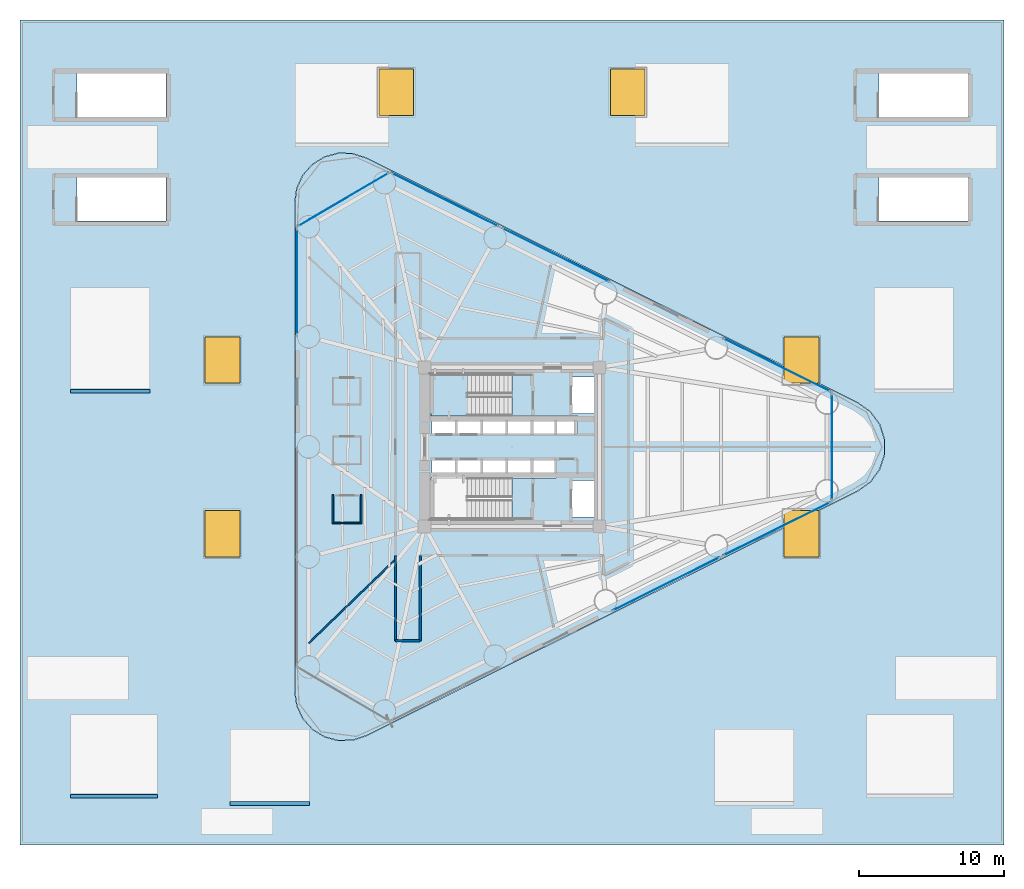
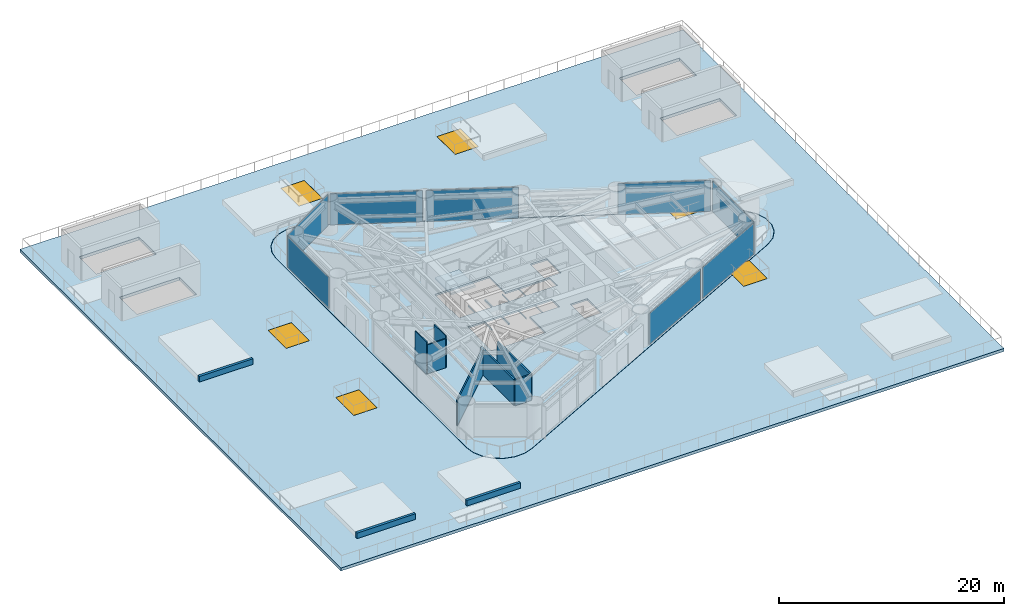
# One storey, part 5 of 13: 10 walls, 8 plates, 6 windows, 3 slabs, 6 openings, 9 elements without a shape of their own.
"""IFC4 building model written with IfcOpenShell, lengths in metres."""

from ifc_helpers import new_model, si_unit, direction, frame, frame_2d, origin, origin_2d, place, context, subcontext, project, spatial, polyline, rectangle, outline, extrude, source, transform, mapped, material, layer, layer_set, type_object, element, fill, aggregate, save


model = new_model("IFC4")

# Units and contexts
model_context = context("Model", 3, precision=1e-05, world=origin(), true_north=direction((0.0, 1.0)))
body_context = subcontext(model_context, "Body", "Model", "MODEL_VIEW")
ifc_project = project(units=[si_unit("LENGTHUNIT", "METRE"), si_unit("AREAUNIT", "SQUARE_METRE"), si_unit("VOLUMEUNIT", "CUBIC_METRE"), si_unit("PLANEANGLEUNIT", "RADIAN"), si_unit("MASSUNIT", "GRAM", prefix="KILO")], contexts=[model_context])

# Site, building, storey
site_placement = place(None, origin())
site = spatial("IfcSite", under=ifc_project, at=site_placement, CompositionType="ELEMENT")
building_placement = place(site_placement, origin())
building = spatial("IfcBuilding", under=site, at=building_placement, Name="Yunling Apex Tower", CompositionType="ELEMENT")
storey_placement = place(building_placement, frame((0.0, 0.0, 20.10009765625)))
storey = spatial("IfcBuildingStorey", under=building, at=storey_placement, Name="L06", CompositionType="ELEMENT", Elevation=20.10009765625)

# Slab
ifc_material_1 = material(Name="Concrete C40", Category="concrete")
ifc_layer_1 = layer(ifc_material_1, 0.179931640625)
ifc_layer_set_1 = layer_set([ifc_layer_1], Name="Concrete C40")
slab_type_1 = type_object("IfcSlabType", Name="SL-FLR-1", PredefinedType="FLOOR", material=ifc_layer_set_1)
slab_1_placement = place(storey_placement, frame((0.0, 0.0, -0.18505859375)))
element("IfcSlab", 1, at=slab_1_placement, inside=storey, type_object=slab_type_1, Name="L06 Composite Tower Floor Slab", PredefinedType="FLOOR", context=body_context, shape_type="SweptSolid", body=[
    extrude(outline(polyline([(-15.001953125, -16.909912109375), (-14.859619140625, -17.88330078125), (-14.444580078125, -18.775390625), (-13.79150390625, -19.510986328125), (-12.955078125, -20.029052734375), (-12.00537109375, -20.285888671875), (-11.02197265625, -20.260009765625), (-10.0869140625, -19.953857421875), (23.88818359375, -3.043701171875), (24.76123046875, -2.42041015625), (25.396484375, -1.555908203125), (25.730712890625, -0.536376953125), (25.730712890625, 0.536376953125), (25.396484375, 1.555908203125), (24.76123046875, 2.42041015625), (23.88818359375, 3.043701171875), (-10.0869140625, 19.953857421875), (-11.02197265625, 20.260009765625), (-12.00537109375, 20.285888671875), (-12.955078125, 20.029052734375), (-13.79150390625, 19.510986328125), (-14.444580078125, 18.775390625), (-14.859619140625, 17.88330078125), (-15.001953125, 16.909912109375), (-15.001953125, -16.909912109375)]), holes=[polyline([(5.81005859375, -2.320068359375), (5.81005859375, -4.840087890625), (4.090087890625, -4.840087890625), (4.090087890625, -2.320068359375), (5.81005859375, -2.320068359375)]), polyline([(5.81005859375, 4.840087890625), (5.81005859375, 2.320068359375), (4.090087890625, 2.320068359375), (4.090087890625, 4.840087890625), (5.81005859375, 4.840087890625)]), polyline([(4.534912109375, 0.794921875), (1.364990234375, 0.794921875), (1.364990234375, 2.1650390625), (4.534912109375, 2.1650390625), (4.534912109375, 0.794921875)]), polyline([(3.034912109375, -2.1650390625), (1.364990234375, -2.1650390625), (1.364990234375, -0.794921875), (3.034912109375, -0.794921875), (3.034912109375, -2.1650390625)]), polyline([(-5.60009765625, 5.010009765625), (-0.010009765625, 5.010009765625), (-0.010009765625, 2.1650390625), (1.3349609375, 2.1650390625), (1.3349609375, 0.794921875), (-0.3349609375, 0.794921875), (-0.3349609375, 2.139892578125), (-0.364990234375, 2.139892578125), (-0.364990234375, 0.794921875), (-2.034912109375, 0.794921875), (-2.034912109375, 2.139892578125), (-2.1650390625, 2.139892578125), (-2.1650390625, 0.794921875), (-3.8349609375, 0.794921875), (-3.8349609375, 2.139892578125), (-3.864990234375, 2.139892578125), (-3.864990234375, 0.794921875), (-5.534912109375, 0.794921875), (-5.534912109375, 2.139892578125), (-5.60009765625, 2.139892578125), (-5.60009765625, 5.010009765625)]), polyline([(-3.864990234375, -0.794921875), (-3.864990234375, -2.139892578125), (-3.8349609375, -2.139892578125), (-3.8349609375, -0.794921875), (-2.1650390625, -0.794921875), (-2.1650390625, -2.139892578125), (-2.034912109375, -2.139892578125), (-2.034912109375, -0.794921875), (-0.364990234375, -0.794921875), (-0.364990234375, -2.139892578125), (-0.3349609375, -2.139892578125), (-0.3349609375, -0.794921875), (1.3349609375, -0.794921875), (1.3349609375, -2.1650390625), (-0.010009765625, -2.1650390625), (-0.010009765625, -5.010009765625), (-5.60009765625, -5.010009765625), (-5.60009765625, -2.139892578125), (-5.534912109375, -2.139892578125), (-5.534912109375, -0.794921875), (-3.864990234375, -0.794921875)])]), origin(), (0.0, 0.0, 1.0), 0.18505859375),
])

# Slab, openings, windows
ifc_layer_2 = layer(ifc_material_1, 0.320068359375)
ifc_layer_set_2 = layer_set([ifc_layer_2], Name="Concrete C40")
slab_type_2 = type_object("IfcSlabType", Name="SL-GDN-EXT", PredefinedType="ROOF", material=ifc_layer_set_2)
slab_2_placement = place(storey_placement, frame((0.0, 0.0, -0.320068359375)))
slab_2 = element("IfcSlab", 2, at=slab_2_placement, inside=storey, type_object=slab_type_2, Name="L06 Raised Public Garden Terrace Roof Deck", PredefinedType="FLOOR", context=body_context, shape_type="SweptSolid", body=[
    extrude(outline(polyline([(-34.0, -27.5), (34.0, -27.5), (34.0, 29.5), (-34.0, 29.5), (-34.0, -27.5)]), holes=[polyline([(31.5, 18.64990234375), (31.5, 15.60009765625), (25.35009765625, 15.60009765625), (25.35009765625, 18.64990234375), (31.5, 18.64990234375)]), polyline([(31.5, 25.85009765625), (31.5, 22.800048828125), (25.35009765625, 22.800048828125), (25.35009765625, 25.85009765625), (31.5, 25.85009765625)]), polyline([(-11.0185546875, -20.280029296875), (-12.0078125, -20.305908203125), (-12.963134765625, -20.047607421875), (-13.804443359375, -19.526611328125), (-14.46142578125, -18.786376953125), (-14.879150390625, -17.88916015625), (-15.02197265625, -16.911376953125), (-15.02197265625, 16.911376953125), (-14.879150390625, 17.88916015625), (-14.46142578125, 18.786376953125), (-13.804443359375, 19.526611328125), (-12.963134765625, 20.047607421875), (-12.0078125, 20.305908203125), (-11.0185546875, 20.280029296875), (-10.079345703125, 19.972412109375), (18.800048828125, 5.5986328125), (18.800048828125, 7.60009765625), (21.199951171875, 7.60009765625), (21.199951171875, 4.404052734375), (23.898681640625, 3.06103515625), (24.775390625, 2.434814453125), (25.41455078125, 1.565185546875), (25.750732421875, 0.53955078125), (25.750732421875, -0.53955078125), (25.41455078125, -1.565185546875), (24.775390625, -2.434814453125), (23.898681640625, -3.06103515625), (21.199951171875, -4.404052734375), (21.199951171875, -7.60009765625), (18.800048828125, -7.60009765625), (18.800048828125, -5.5986328125), (-10.079345703125, -19.972412109375), (-11.0185546875, -20.280029296875)]), polyline([(9.199951171875, 26.10009765625), (9.199951171875, 22.89990234375), (6.800048828125, 22.89990234375), (6.800048828125, 26.10009765625), (9.199951171875, 26.10009765625)]), polyline([(-9.199951171875, 26.10009765625), (-6.800048828125, 26.10009765625), (-6.800048828125, 22.89990234375), (-9.199951171875, 22.89990234375), (-9.199951171875, 26.10009765625)]), polyline([(-21.199951171875, -4.39990234375), (-18.800048828125, -4.39990234375), (-18.800048828125, -7.60009765625), (-21.199951171875, -7.60009765625), (-21.199951171875, -4.39990234375)]), polyline([(-21.199951171875, 7.60009765625), (-18.800048828125, 7.60009765625), (-18.800048828125, 4.39990234375), (-21.199951171875, 4.39990234375), (-21.199951171875, 7.60009765625)]), polyline([(-23.89990234375, 18.64990234375), (-23.89990234375, 15.60009765625), (-30.050048828125, 15.60009765625), (-30.050048828125, 18.64990234375), (-23.89990234375, 18.64990234375)]), polyline([(-23.89990234375, 25.85009765625), (-23.89990234375, 22.800048828125), (-30.050048828125, 22.800048828125), (-30.050048828125, 25.85009765625), (-23.89990234375, 25.85009765625)])]), origin(), (0.0, 0.0, 1.0), 0.320068359375),
])
opening_1_placement = place(slab_2_placement, frame((-20.0, -6.0, 0.0)))
opening_1 = element("IfcOpeningElement", 3, at=opening_1_placement, cuts=slab_2, Name="Opening WN-SKY-2", PredefinedType="OPENING", context=body_context, shape_type="SweptSolid", body=[
    extrude(rectangle(XDim=2.40380859375, YDim=3.203857421875, at=origin_2d()), frame((0.0, 0.0, -0.010009765625)), (0.0, 0.0, 1.0), 0.340087890625),
])
opening_2_placement = place(slab_2_placement, frame((20.0, -6.0, 0.0)))
opening_2 = element("IfcOpeningElement", 4, at=opening_2_placement, cuts=slab_2, Name="Opening WN-SKY-2", PredefinedType="OPENING", context=body_context, shape_type="SweptSolid", body=[
    extrude(rectangle(XDim=2.40380859375, YDim=3.203857421875, at=origin_2d()), frame((0.0, 0.0, -0.010009765625)), (0.0, 0.0, 1.0), 0.340087890625),
])
opening_3_placement = place(slab_2_placement, frame((-20.0, 6.0, 0.0)))
opening_3 = element("IfcOpeningElement", 5, at=opening_3_placement, cuts=slab_2, Name="Opening WN-SKY-2", PredefinedType="OPENING", context=body_context, shape_type="SweptSolid", body=[
    extrude(rectangle(XDim=2.40380859375, YDim=3.203857421875, at=origin_2d()), frame((0.0, 0.0, -0.010009765625)), (0.0, 0.0, 1.0), 0.340087890625),
])
opening_4_placement = place(slab_2_placement, frame((20.0, 6.0, 0.0)))
opening_4 = element("IfcOpeningElement", 6, at=opening_4_placement, cuts=slab_2, Name="Opening WN-SKY-2", PredefinedType="OPENING", context=body_context, shape_type="SweptSolid", body=[
    extrude(rectangle(XDim=2.40380859375, YDim=3.203857421875, at=origin_2d()), frame((0.0, 0.0, -0.010009765625)), (0.0, 0.0, 1.0), 0.340087890625),
])
opening_5_placement = place(slab_2_placement, frame((-8.0, 24.5, 0.0)))
opening_5 = element("IfcOpeningElement", 7, at=opening_5_placement, cuts=slab_2, Name="Opening WN-SKY-2", PredefinedType="OPENING", context=body_context, shape_type="SweptSolid", body=[
    extrude(rectangle(XDim=2.40380859375, YDim=3.203857421875, at=origin_2d()), frame((0.0, 0.0, -0.010009765625)), (0.0, 0.0, 1.0), 0.340087890625),
])
opening_6_placement = place(slab_2_placement, frame((8.0, 24.5, 0.0)))
opening_6 = element("IfcOpeningElement", 8, at=opening_6_placement, cuts=slab_2, Name="Opening WN-SKY-2", PredefinedType="OPENING", context=body_context, shape_type="SweptSolid", body=[
    extrude(rectangle(XDim=2.40380859375, YDim=3.203857421875, at=origin_2d()), frame((0.0, 0.0, -0.010009765625)), (0.0, 0.0, 1.0), 0.340087890625),
])
ifc_material_2 = material(Name="Bronze tinted low-E glass", Category="glass")
window_type = type_object("IfcWindowType", Name="WN-SKY-2", PartitioningType="SINGLE_PANEL", PredefinedType="SKYLIGHT", material=ifc_material_2)
window_1_placement = place(opening_1_placement, frame((0.0, 0.0, 0.27001953125)))
window_1 = element("IfcWindow", 9, at=window_1_placement, inside=storey, type_object=window_type, Name="SK-POD-01", OverallHeight=3.199951171875, OverallWidth=2.39990234375, PartitioningType="SINGLE_PANEL", PredefinedType="SKYLIGHT", context=body_context, shape_type="SweptSolid", body=[
    extrude(rectangle(XDim=2.39990234375, YDim=3.199951171875, at=origin_2d()), origin(), (0.0, 0.0, 1.0), 0.050048828125),
])
fill(opening_1, window_1)
window_2_placement = place(opening_2_placement, frame((0.0, 0.0, 0.27001953125)))
window_2 = element("IfcWindow", 10, at=window_2_placement, inside=storey, type_object=window_type, Name="SK-POD-02", OverallHeight=3.199951171875, OverallWidth=2.39990234375, PartitioningType="SINGLE_PANEL", PredefinedType="SKYLIGHT", context=body_context, shape_type="SweptSolid", body=[
    extrude(rectangle(XDim=2.39990234375, YDim=3.199951171875, at=origin_2d()), origin(), (0.0, 0.0, 1.0), 0.050048828125),
])
fill(opening_2, window_2)
window_3_placement = place(opening_3_placement, frame((0.0, 0.0, 0.27001953125)))
window_3 = element("IfcWindow", 11, at=window_3_placement, inside=storey, type_object=window_type, Name="SK-POD-03", OverallHeight=3.199951171875, OverallWidth=2.39990234375, PartitioningType="SINGLE_PANEL", PredefinedType="SKYLIGHT", context=body_context, shape_type="SweptSolid", body=[
    extrude(rectangle(XDim=2.39990234375, YDim=3.199951171875, at=origin_2d()), origin(), (0.0, 0.0, 1.0), 0.050048828125),
])
fill(opening_3, window_3)
window_4_placement = place(opening_4_placement, frame((0.0, 0.0, 0.27001953125)))
window_4 = element("IfcWindow", 12, at=window_4_placement, inside=storey, type_object=window_type, Name="SK-POD-04", OverallHeight=3.199951171875, OverallWidth=2.39990234375, PartitioningType="SINGLE_PANEL", PredefinedType="SKYLIGHT", context=body_context, shape_type="SweptSolid", body=[
    extrude(rectangle(XDim=2.39990234375, YDim=3.199951171875, at=origin_2d()), origin(), (0.0, 0.0, 1.0), 0.050048828125),
])
fill(opening_4, window_4)
window_5_placement = place(opening_5_placement, frame((0.0, 0.0, 0.27001953125)))
window_5 = element("IfcWindow", 13, at=window_5_placement, inside=storey, type_object=window_type, Name="SK-POD-05", OverallHeight=3.199951171875, OverallWidth=2.39990234375, PartitioningType="SINGLE_PANEL", PredefinedType="SKYLIGHT", context=body_context, shape_type="SweptSolid", body=[
    extrude(rectangle(XDim=2.39990234375, YDim=3.199951171875, at=origin_2d()), origin(), (0.0, 0.0, 1.0), 0.050048828125),
])
fill(opening_5, window_5)
window_6_placement = place(opening_6_placement, frame((0.0, 0.0, 0.27001953125)))
window_6 = element("IfcWindow", 14, at=window_6_placement, inside=storey, type_object=window_type, Name="SK-POD-06", OverallHeight=3.199951171875, OverallWidth=2.39990234375, PartitioningType="SINGLE_PANEL", PredefinedType="SKYLIGHT", context=body_context, shape_type="SweptSolid", body=[
    extrude(rectangle(XDim=2.39990234375, YDim=3.199951171875, at=origin_2d()), origin(), (0.0, 0.0, 1.0), 0.050048828125),
])
fill(opening_6, window_6)

# Stair, slab
stair_type = type_object("IfcStairType", Name="ST-TWR-1", PredefinedType="HALF_TURN_STAIR", material=ifc_material_1)
stair_placement = place(storey_placement, origin())
stair = element("IfcStair", 15, at=stair_placement, inside=storey, type_object=stair_type, Name="L06 North Core Smokeproof Exit Stair ST-1", PredefinedType="HALF_TURN_STAIR")
ifc_layer_3 = layer(ifc_material_1, 0.195068359375)
ifc_layer_set_3 = layer_set([ifc_layer_3], Name="Concrete C40")
slab_type_3 = type_object("IfcSlabType", Name="SL-LND-1", PredefinedType="LANDING", material=ifc_layer_set_3)
slab_3_placement = place(storey_placement, frame((0.0, 0.0, 1.65478515625)))
slab_3 = element("IfcSlab", 16, at=slab_3_placement, type_object=slab_type_3, Name="ST-1 landing 1", PredefinedType="LANDING", context=body_context, shape_type="SweptSolid", body=[
    extrude(outline(polyline([(-3.090087890625, 5.010009765625), (-5.60009765625, 5.010009765625), (-5.60009765625, 2.139892578125), (-3.090087890625, 2.139892578125), (-3.090087890625, 5.010009765625)])), origin(), (0.0, 0.0, 1.0), 0.195068359375),
])
aggregate(stair, [slab_3])

# Curtain wall, plate
ifc_material_3 = material(Name="Bronze anodised aluminium", Category="aluminium")
ifc_layer_4 = layer(ifc_material_3, 0.260009765625)
ifc_layer_set_4 = layer_set([ifc_layer_4], Name="Bronze anodised aluminium")
curtain_wall_type = type_object("IfcCurtainWallType", Name="CW-SYS-2", PredefinedType="NOTDEFINED", material=ifc_layer_set_4)
curtain_wall_1_placement = place(storey_placement, origin())
curtain_wall_1 = element("IfcCurtainWall", 17, at=curtain_wall_1_placement, inside=storey, type_object=curtain_wall_type, Name="CW-L06-F1-B3", PredefinedType="NOTDEFINED")
ifc_layer_5 = layer(ifc_material_2, 0.033935546875)
ifc_layer_set_5 = layer_set([ifc_layer_5], Name="Bronze tinted low-E glass")
plate_type = type_object("IfcPlateType", Name="CW-PNL-2", PredefinedType="CURTAIN_PANEL", material=ifc_layer_set_5)
shared_shape_1 = source(origin(), body_context, "Body", "SweptSolid", [
    extrude(rectangle(XDim=8.225341796875, YDim=0.033935546875, at=origin_2d()), origin(), (0.0, 0.0, 1.0), 3.361572265625),
])
plate_1_placement = place(storey_placement, frame((10.660400390625, -9.47119140625, 0.07666015625), z_axis=(0.0, 0.0, 1.0), x_axis=(0.895246791748, 0.445570625003, 0.0)))
plate_1 = element("IfcPlate", 18, at=plate_1_placement, type_object=plate_type, Name="CW-SYS-2 panel 1.1", PredefinedType="CURTAIN_PANEL", context=body_context, shape_type="MappedRepresentation", body=[
    mapped(shared_shape_1, transform((0.0, 0.0, 0.0), scale=1.0)),
])
aggregate(curtain_wall_1, [plate_1])

curtain_wall_2_placement = place(storey_placement, origin())
curtain_wall_2 = element("IfcCurtainWall", 19, at=curtain_wall_2_placement, inside=storey, type_object=curtain_wall_type, Name="CW-L06-F1-B4", PredefinedType="NOTDEFINED")
plate_2_placement = place(storey_placement, frame((18.304931640625, -5.666259765625, 0.07666015625), z_axis=(0.0, 0.0, 1.0), x_axis=(0.895242031011, 0.445580190214, 0.0)))
plate_2 = element("IfcPlate", 20, at=plate_2_placement, type_object=plate_type, Name="CW-SYS-2 panel 1.1", PredefinedType="CURTAIN_PANEL", context=body_context, shape_type="MappedRepresentation", body=[
    mapped(shared_shape_1, transform((0.0, 0.0, 0.0), scale=1.0)),
])
aggregate(curtain_wall_2, [plate_2])

curtain_wall_3_placement = place(storey_placement, origin())
curtain_wall_3 = element("IfcCurtainWall", 21, at=curtain_wall_3_placement, inside=storey, type_object=curtain_wall_type, Name="CW-L06-F2-B1", PredefinedType="NOTDEFINED")
plate_3_placement = place(storey_placement, frame((18.304931640625, 5.666259765625, 0.07666015625), z_axis=(0.0, 0.0, 1.0), x_axis=(-0.895242031011, 0.445580190214, 0.0)))
plate_3 = element("IfcPlate", 22, at=plate_3_placement, type_object=plate_type, Name="CW-SYS-2 panel 1.1", PredefinedType="CURTAIN_PANEL", context=body_context, shape_type="MappedRepresentation", body=[
    mapped(shared_shape_1, transform((0.0, 0.0, 0.0), scale=1.0)),
])
aggregate(curtain_wall_3, [plate_3])

curtain_wall_4_placement = place(storey_placement, origin())
curtain_wall_4 = element("IfcCurtainWall", 23, at=curtain_wall_4_placement, inside=storey, type_object=curtain_wall_type, Name="CW-L06-F2-B3", PredefinedType="NOTDEFINED")
plate_4_placement = place(storey_placement, frame((3.01611328125, 13.27587890625, 0.07666015625), z_axis=(0.0, 0.0, 1.0), x_axis=(-0.895242031011, 0.445580190214, 0.0)))
plate_4 = element("IfcPlate", 24, at=plate_4_placement, type_object=plate_type, Name="CW-SYS-2 panel 1.1", PredefinedType="CURTAIN_PANEL", context=body_context, shape_type="MappedRepresentation", body=[
    mapped(shared_shape_1, transform((0.0, 0.0, 0.0), scale=1.0)),
])
aggregate(curtain_wall_4, [plate_4])

curtain_wall_5_placement = place(storey_placement, origin())
curtain_wall_5 = element("IfcCurtainWall", 25, at=curtain_wall_5_placement, inside=storey, type_object=curtain_wall_type, Name="CW-L06-F2-B4", PredefinedType="NOTDEFINED")
plate_5_placement = place(storey_placement, frame((-4.62841796875, 17.08056640625, 0.07666015625), z_axis=(0.0, 0.0, 1.0), x_axis=(-0.895246791748, 0.445570625003, 0.0)))
plate_5 = element("IfcPlate", 26, at=plate_5_placement, type_object=plate_type, Name="CW-SYS-2 panel 1.1", PredefinedType="CURTAIN_PANEL", context=body_context, shape_type="MappedRepresentation", body=[
    mapped(shared_shape_1, transform((0.0, 0.0, 0.0), scale=1.0)),
])
aggregate(curtain_wall_5, [plate_5])

curtain_wall_6_placement = place(storey_placement, origin())
curtain_wall_6 = element("IfcCurtainWall", 27, at=curtain_wall_6_placement, inside=storey, type_object=curtain_wall_type, Name="CW-L06-CRN1", PredefinedType="NOTDEFINED")
shared_shape_2 = source(origin(), body_context, "Body", "SweptSolid", [
    extrude(rectangle(XDim=7.338623046875, YDim=0.033935546875, at=origin_2d()), origin(), (0.0, 0.0, 1.0), 3.361572265625),
])
plate_6_placement = place(storey_placement, frame((22.1181640625, 0.0, 0.07666015625), z_axis=(0.0, 0.0, 1.0), x_axis=(0.0, 1.0, 0.0)))
plate_6 = element("IfcPlate", 28, at=plate_6_placement, type_object=plate_type, Name="CW-SYS-2 panel 1.1", PredefinedType="CURTAIN_PANEL", context=body_context, shape_type="MappedRepresentation", body=[
    mapped(shared_shape_2, transform((0.0, 0.0, 0.0), scale=1.0)),
])
aggregate(curtain_wall_6, [plate_6])

curtain_wall_7_placement = place(storey_placement, origin())
curtain_wall_7 = element("IfcCurtainWall", 29, at=curtain_wall_7_placement, inside=storey, type_object=curtain_wall_type, Name="CW-L06-CRN2", PredefinedType="NOTDEFINED")
shared_shape_3 = source(origin(), body_context, "Body", "SweptSolid", [
    extrude(rectangle(XDim=7.247314453125, YDim=0.033935546875, at=origin_2d()), origin(), (0.0, 0.0, 1.0), 3.361572265625),
])
plate_7_placement = place(storey_placement, frame((-11.650634765625, 17.092041015625, 0.07666015625), z_axis=(0.0, 0.0, 1.0), x_axis=(-0.86241873323, -0.506195543811, 0.0)))
plate_7 = element("IfcPlate", 30, at=plate_7_placement, type_object=plate_type, Name="CW-SYS-2 panel 1.1", PredefinedType="CURTAIN_PANEL", context=body_context, shape_type="MappedRepresentation", body=[
    mapped(shared_shape_3, transform((0.0, 0.0, 0.0), scale=1.0)),
])
aggregate(curtain_wall_7, [plate_7])

curtain_wall_8_placement = place(storey_placement, origin())
curtain_wall_8 = element("IfcCurtainWall", 31, at=curtain_wall_8_placement, inside=storey, type_object=curtain_wall_type, Name="CW-L06-F3-B1", PredefinedType="NOTDEFINED")
shared_shape_4 = source(origin(), body_context, "Body", "SweptSolid", [
    extrude(rectangle(XDim=7.2958984375, YDim=0.033935546875, at=origin_2d()), origin(), (0.0, 0.0, 1.0), 3.361572265625),
])
plate_8_placement = place(storey_placement, frame((-14.862060546875, 11.414306640625, 0.07666015625), z_axis=(0.0, 0.0, 1.0), x_axis=(0.0, -1.0, 0.0)))
plate_8 = element("IfcPlate", 32, at=plate_8_placement, type_object=plate_type, Name="CW-SYS-2 panel 1.1", PredefinedType="CURTAIN_PANEL", context=body_context, shape_type="MappedRepresentation", body=[
    mapped(shared_shape_4, transform((0.0, 0.0, 0.0), scale=1.0)),
])
aggregate(curtain_wall_8, [plate_8])

# Walls
ifc_material_4 = material(Name="Precast concrete C40", Category="concrete")
ifc_layer_6 = layer(ifc_material_4, 0.260009765625)
ifc_layer_set_6 = layer_set([ifc_layer_6], Name="Precast concrete C40")
wall_type_1 = type_object("IfcWallType", Name="WL-PAR-1", PredefinedType="PARAPET", material=ifc_layer_set_6)
wall_1_placement = place(storey_placement, frame((-30.5, -24.14990234375, 0.0), z_axis=(0.0, 0.0, 1.0), x_axis=(1.0, 0.0, 0.0)))
element("IfcWall", 33, at=wall_1_placement, inside=storey, type_object=wall_type_1, Name="WL-PAR-PLN-01", PredefinedType="PARAPET", context=body_context, shape_type="SweptSolid", body=[
    extrude(rectangle(XDim=6.0, YDim=0.260009765625, at=frame_2d((3.0, 0.0))), origin(), (0.0, 0.0, 1.0), 0.599853515625),
])
for number, where, z_axis, x_axis, name in (
    (34, (-30.5, 3.85009765625, 0.0), (0.0, 0.0, 1.0), (1.0, 0.0, 0.0), "WL-PAR-PLN-03"),
    (35, (-19.5, -24.64990234375, 0.0), (0.0, 0.0, 1.0), (1.0, 0.0, 0.0), "WL-PAR-PLN-05"),
):
    element("IfcWall", number, at=place(storey_placement, frame(where, z_axis=z_axis, x_axis=x_axis)), inside=storey, type_object=wall_type_1, Name=name, PredefinedType="PARAPET", context=body_context, shape_type="SweptSolid", body=[
        extrude(rectangle(XDim=5.5, YDim=0.260009765625, at=frame_2d((2.75, 0.0))), origin(), (0.0, 0.0, 1.0), 0.599853515625),
    ])
ifc_material_5 = material(Name="Gypsum board acoustic partition")
ifc_layer_7 = layer(ifc_material_5, 0.159912109375)
ifc_layer_set_7 = layer_set([ifc_layer_7], Name="Gypsum board acoustic partition")
wall_type_2 = type_object("IfcWallType", Name="WL-PRT-1", PredefinedType="PARTITIONING", material=ifc_layer_set_7)
wall_2_placement = place(storey_placement, frame((-6.35009765625, -7.5, 0.0), z_axis=(0.0, 0.0, 1.0), x_axis=(0.0, -1.0, 0.0)))
element("IfcWall", 36, at=wall_2_placement, inside=storey, type_object=wall_type_2, Name="WL-CORR-L06-02", PredefinedType="PARTITIONING", context=body_context, shape_type="SweptSolid", body=[
    extrude(rectangle(XDim=5.89990234375, YDim=0.159912109375, at=frame_2d((2.949951171875, 0.0))), origin(), (0.0, 0.0, 1.0), 2.7998046875),
])
wall_3_placement = place(storey_placement, frame((-6.35009765625, -13.39990234375, 0.0), z_axis=(0.0, 0.0, 1.0), x_axis=(-1.0, 0.0, 0.0)))
element("IfcWall", 37, at=wall_3_placement, inside=storey, type_object=wall_type_2, Name="WL-CORR-L06-03", PredefinedType="PARTITIONING", context=body_context, shape_type="SweptSolid", body=[
    extrude(rectangle(XDim=1.699951171875, YDim=0.159912109375, at=frame_2d((0.85009765625, 0.0))), origin(), (0.0, 0.0, 1.0), 2.7998046875),
])
wall_4_placement = place(storey_placement, frame((-8.050048828125, -13.39990234375, 0.0), z_axis=(0.0, 0.0, 1.0), x_axis=(0.0, 1.0, 0.0)))
element("IfcWall", 38, at=wall_4_placement, inside=storey, type_object=wall_type_2, Name="WL-CORR-L06-04", PredefinedType="PARTITIONING", context=body_context, shape_type="SweptSolid", body=[
    extrude(rectangle(XDim=5.89990234375, YDim=0.159912109375, at=frame_2d((2.949951171875, 0.0))), origin(), (0.0, 0.0, 1.0), 2.7998046875),
])
ifc_layer_8 = layer(ifc_material_5, 0.1201171875)
ifc_layer_set_8 = layer_set([ifc_layer_8], Name="Gypsum board acoustic partition")
wall_type_3 = type_object("IfcWallType", Name="WL-PRT-3", PredefinedType="PARTITIONING", material=ifc_layer_set_8)
wall_5_placement = place(storey_placement, frame((-8.010009765625, -7.735107421875, 0.0), z_axis=(0.0, 0.0, 1.0), x_axis=(-0.719337851146, -0.694660388902, 0.0)))
element("IfcWall", 39, at=wall_5_placement, inside=storey, type_object=wall_type_3, Name="WL-RAD-L06-04", PredefinedType="PARTITIONING", context=body_context, shape_type="SweptSolid", body=[
    extrude(rectangle(XDim=8.3994140625, YDim=0.1201171875, at=frame_2d((4.19970703125, 0.0))), origin(), (0.0, 0.0, 1.0), 2.7998046875),
])
ifc_layer_9 = layer(ifc_material_5, 0.10009765625)
ifc_layer_set_9 = layer_set([ifc_layer_9], Name="Gypsum board acoustic partition")
wall_type_4 = type_object("IfcWallType", Name="WL-PRT-4", PredefinedType="PARTITIONING", material=ifc_layer_set_9)
wall_6_placement = place(storey_placement, frame((-10.381103515625, -5.260986328125, 0.0), z_axis=(0.0, 0.0, 1.0), x_axis=(-1.0, 0.0, 0.0)))
element("IfcWall", 40, at=wall_6_placement, inside=storey, type_object=wall_type_4, Name="WL-L06-WCFS", PredefinedType="PARTITIONING", context=body_context, shape_type="SweptSolid", body=[
    extrude(rectangle(XDim=2.0498046875, YDim=0.10009765625, at=frame_2d((1.02490234375, 0.0))), origin(), (0.0, 0.0, 1.0), 3.14990234375),
])
for number, where, z_axis, x_axis, name in (
    (41, (-10.430908203125, -3.31103515625, 0.0), (0.0, 0.0, 1.0), (0.0, -1.0, 0.0), "WL-L06-WCFE"),
    (42, (-12.381103515625, -5.31103515625, 0.0), (0.0, 0.0, 1.0), (0.0, 1.0, 0.0), "WL-L06-WCFW"),
):
    element("IfcWall", number, at=place(storey_placement, frame(where, z_axis=z_axis, x_axis=x_axis)), inside=storey, type_object=wall_type_4, Name=name, PredefinedType="PARTITIONING", context=body_context, shape_type="SweptSolid", body=[
        extrude(rectangle(XDim=2.0, YDim=0.10009765625, at=frame_2d((1.0, 0.0))), origin(), (0.0, 0.0, 1.0), 3.494873046875),
    ])

save(model, "model.ifc")
